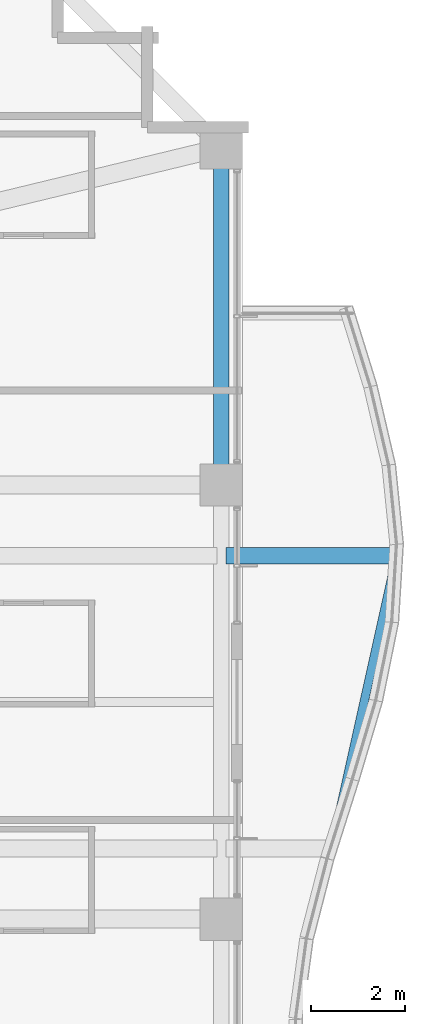
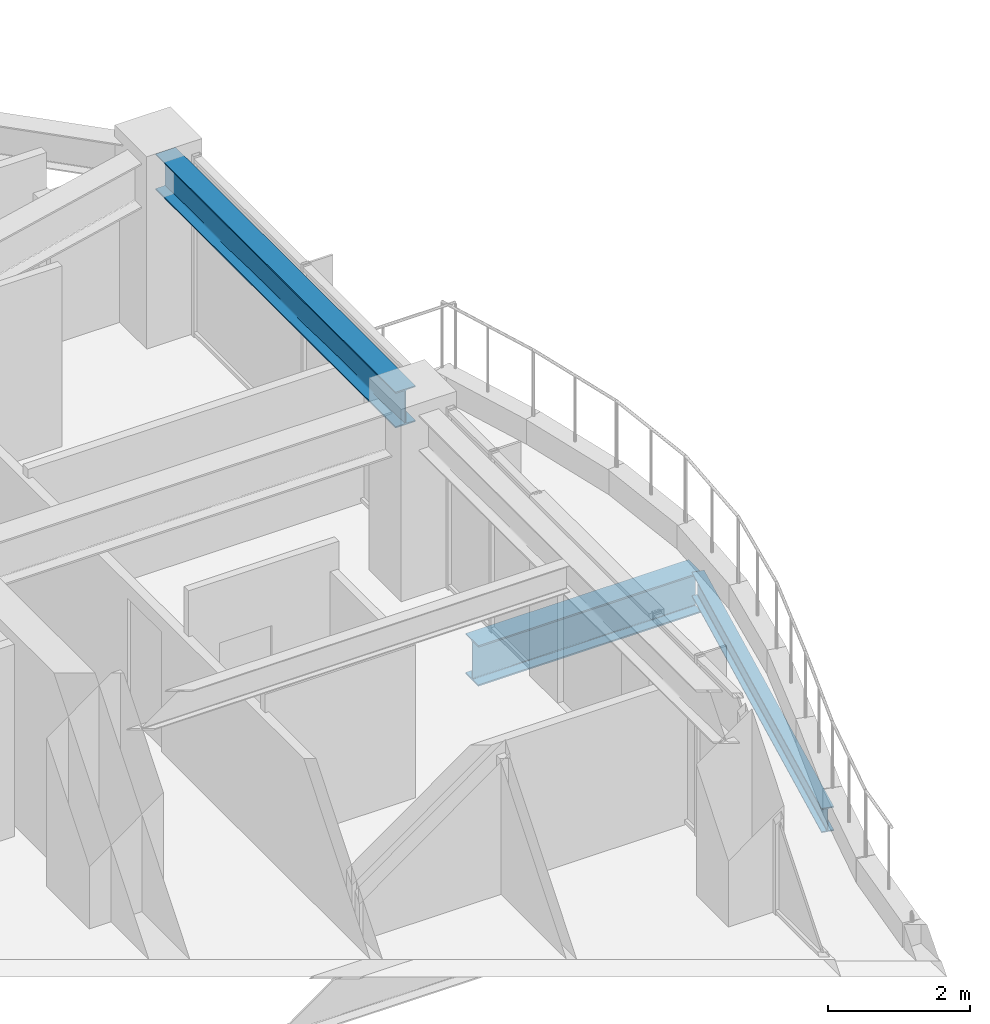
# One storey, part 15 of 32: 3 beams.
"""IFC4 building model written with IfcOpenShell, lengths in metres."""

from ifc_helpers import new_model, si_unit, direction, frame, origin, origin_2d, place, context, subcontext, project, spatial, i_section, extrude, material, material_profile, profile_set, type_object, element, save


model = new_model("IFC4")

# Units and contexts
model_context = context("Model", 3, precision=1e-05, world=origin(), true_north=direction((0.0, 1.0)))
body_context = subcontext(model_context, "Body", "Model", "MODEL_VIEW")
ifc_project = project(units=[si_unit("LENGTHUNIT", "METRE"), si_unit("AREAUNIT", "SQUARE_METRE"), si_unit("VOLUMEUNIT", "CUBIC_METRE"), si_unit("PLANEANGLEUNIT", "RADIAN"), si_unit("MASSUNIT", "GRAM", prefix="KILO")], contexts=[model_context])

# Site, building, storey
site_placement = place(None, origin())
site = spatial("IfcSite", under=ifc_project, at=site_placement, CompositionType="ELEMENT")
building_placement = place(site_placement, origin())
building = spatial("IfcBuilding", under=site, at=building_placement, Name="Kolvaren Belvedere", CompositionType="ELEMENT")
storey_placement = place(building_placement, frame((0.0, 0.0, 141.5)))
storey = spatial("IfcBuildingStorey", under=building, at=storey_placement, Name="L41", CompositionType="ELEMENT", Elevation=141.5)

# Beams
ifc_material_1 = material(Name="Structural steel ASTM A992 Grade 50", Category="steel")
ifc_material_profile_1 = material_profile(ifc_material_1, i_section(OverallWidth=0.35498046875, OverallDepth=0.696044921875, WebThickness=0.015380859375, FlangeThickness=0.02490234375, FilletRadius=0.02197265625, at=origin_2d()), Name="W27X146")
ifc_profile_set_1 = profile_set([ifc_material_profile_1], Name="Structural steel ASTM A992 Grade 50")
beam_type_1 = type_object("IfcBeamType", Name="BM-CANT-BAL", PredefinedType="BEAM", material=ifc_profile_set_1)
beam_1_placement = place(storey_placement, frame((17.64501953125, 3.10009765625, -0.548095703125), z_axis=(1.0, 0.0, 0.0), x_axis=(0.0, 1.0, 0.0)))
element("IfcBeam", 1, at=beam_1_placement, inside=storey, type_object=beam_type_1, Name="L41 Planted Balcony Cantilever BAL-E-2", PredefinedType="BEAM", context=body_context, shape_type="SweptSolid", body=[
    extrude(i_section(OverallWidth=0.35498046875, OverallDepth=0.696044921875, WebThickness=0.015380859375, FlangeThickness=0.02490234375, FilletRadius=0.02197265625, at=origin_2d()), origin(), (0.0, 0.0, 1.0), 3.619140625),
])
ifc_material_2 = material(Name="Structural steel ASTM A992 Grade 50", Category="steel")
ifc_material_profile_2 = material_profile(ifc_material_2, i_section(OverallWidth=0.180908203125, OverallDepth=0.4169921875, WebThickness=0.010986328125, FlangeThickness=0.018310546875, FilletRadius=0.013916015625, at=origin_2d()), Name="W16X57")
ifc_profile_set_2 = profile_set([ifc_material_profile_2], Name="Structural steel ASTM A992 Grade 50")
beam_type_2 = type_object("IfcBeamType", Name="BM-EDGE-W16X57", PredefinedType="BEAM", material=ifc_profile_set_2)
beam_2_placement = place(storey_placement, frame((19.915283203125, -2.96337890625, -0.408447265625), z_axis=(0.217134815244, 0.976141624975, 0.0), x_axis=(-0.976141624975, 0.217134815244, 0.0)))
element("IfcBeam", 2, at=beam_2_placement, inside=storey, type_object=beam_type_2, Name="L41 Balcony Tip Header Beam BAL-E", PredefinedType="BEAM", context=body_context, shape_type="SweptSolid", body=[
    extrude(i_section(OverallWidth=0.180908203125, OverallDepth=0.4169921875, WebThickness=0.010986328125, FlangeThickness=0.018310546875, FilletRadius=0.013916015625, at=origin_2d()), origin(), (0.0, 0.0, 1.0), 6.071533203125),
])
ifc_material_3 = material(Name="Structural steel ASTM A992 Grade 50", Category="steel")
ifc_material_profile_3 = material_profile(ifc_material_3, i_section(OverallWidth=0.324951171875, OverallDepth=0.615966796875, WebThickness=0.013916015625, FlangeThickness=0.021484375, FilletRadius=0.02001953125, at=origin_2d()), Name="W24X117")
ifc_profile_set_3 = profile_set([ifc_material_profile_3], Name="Structural steel ASTM A992 Grade 50")
beam_type_3 = type_object("IfcBeamType", Name="BM-SPAN-W24X117", PredefinedType="SPANDREL", material=ifc_profile_set_3)
beam_3_placement = place(storey_placement, frame((17.550048828125, 4.802490234375, 2.7919921875), z_axis=(0.0, 1.0, 0.0), x_axis=(-1.0, 0.0, 0.0)))
element("IfcBeam", 3, at=beam_3_placement, inside=storey, type_object=beam_type_3, Name="L41 Perimeter Spandrel E3-E4", PredefinedType="SPANDREL", context=body_context, shape_type="SweptSolid", body=[
    extrude(i_section(OverallWidth=0.324951171875, OverallDepth=0.615966796875, WebThickness=0.013916015625, FlangeThickness=0.021484375, FilletRadius=0.02001953125, at=origin_2d()), origin(), (0.0, 0.0, 1.0), 6.7451171875),
])

save(model, "model.ifc")
